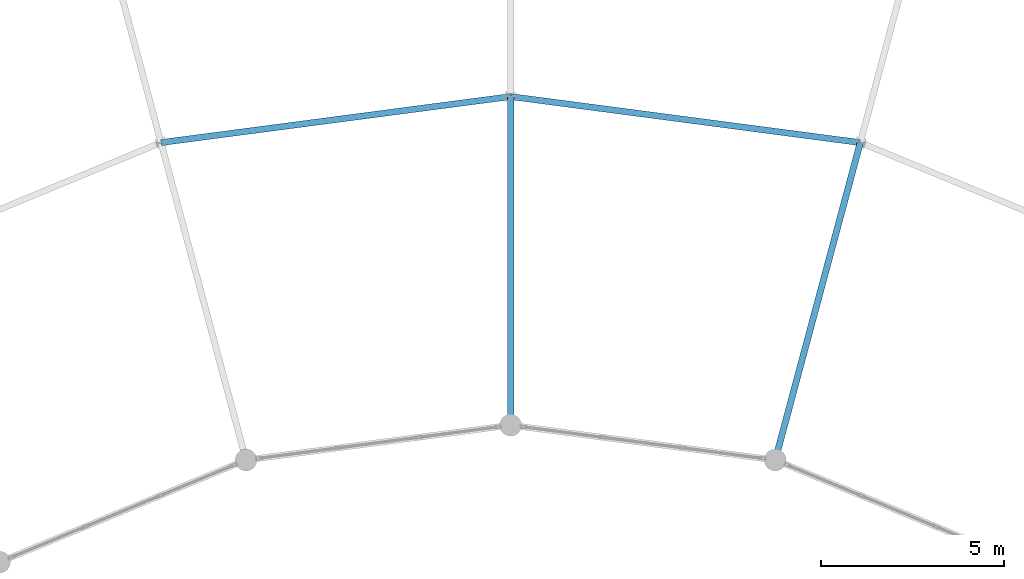
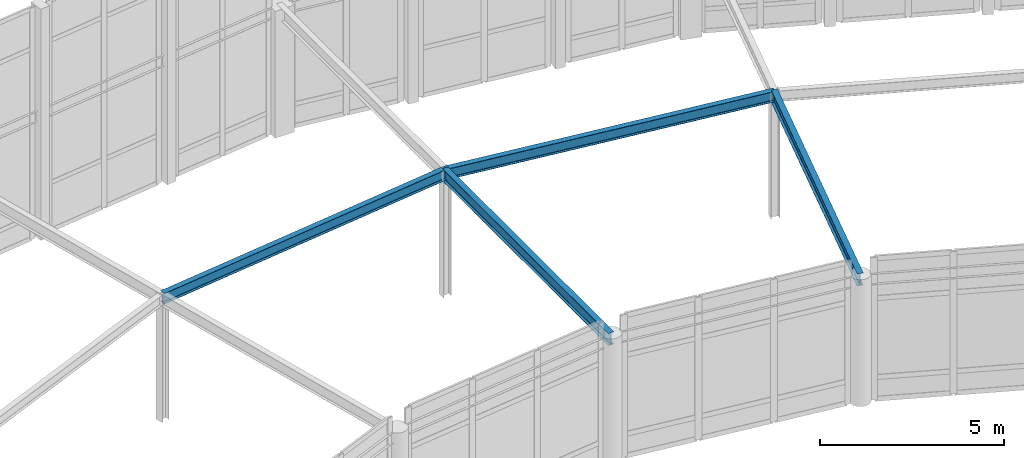
# One storey, part 50 of 93: 4 beams.
"""IFC4 building model written with IfcOpenShell, lengths in metres."""

from ifc_helpers import new_model, si_unit, direction, frame, origin, origin_2d, place, context, subcontext, project, spatial, i_section, extrude, material, material_profile, profile_set, type_object, element, save


model = new_model("IFC4")

# Units and contexts
model_context = context("Model", 3, precision=1e-05, world=origin(), true_north=direction((0.0, 1.0)))
body_context = subcontext(model_context, "Body", "Model", "MODEL_VIEW")
ifc_project = project(units=[si_unit("LENGTHUNIT", "METRE"), si_unit("AREAUNIT", "SQUARE_METRE"), si_unit("VOLUMEUNIT", "CUBIC_METRE"), si_unit("PLANEANGLEUNIT", "RADIAN"), si_unit("MASSUNIT", "GRAM", prefix="KILO")], contexts=[model_context])

# Site, building, storey
site_placement = place(None, origin())
site = spatial("IfcSite", under=ifc_project, at=site_placement, CompositionType="ELEMENT")
building_placement = place(site_placement, origin())
building = spatial("IfcBuilding", under=site, at=building_placement, Name="Vondelvale Polytechnic", CompositionType="ELEMENT")
storey_placement = place(building_placement, frame((0.0, 0.0, 18.0)))
storey = spatial("IfcBuildingStorey", under=building, at=storey_placement, Name="L04", CompositionType="ELEMENT", Elevation=18.0)

# Beams
ifc_material = material(Name="Steel 300PLUS (fy = 300 MPa)", Category="steel")
ifc_material_profile_1 = material_profile(ifc_material, i_section(OverallWidth=0.1708984375, OverallDepth=0.35205078125, WebThickness=0.0068359375, FlangeThickness=0.009765625, FilletRadius=0.011474609375, at=origin_2d()), Name="360UB44.7")
ifc_profile_set_1 = profile_set([ifc_material_profile_1], Name="Steel 300PLUS (fy = 300 MPa)")
beam_type_1 = type_object("IfcBeamType", Name="BM-UB360L", PredefinedType="BEAM", material=ifc_profile_set_1)
for number, where, z_axis, x_axis, name in (
    (1, (111.576416015625, 107.7392578125, 4.02392578125), (-0.991445087779, 0.130524472487, 0.0), (-0.130524472487, -0.991445087779, 0.0), "L04 RE B-24"),
    (2, (102.0, 109.0, 4.02392578125), (-0.991445087779, -0.130524472487, 0.0), (0.130524472487, -0.991445087779, 0.0), "L04 RE B-24"),
):
    element("IfcBeam", number, at=place(storey_placement, frame(where, z_axis=z_axis, x_axis=x_axis)), inside=storey, type_object=beam_type_1, Name=name, PredefinedType="BEAM", context=body_context, shape_type="SweptSolid", body=[
        extrude(i_section(OverallWidth=0.1708984375, OverallDepth=0.35205078125, WebThickness=0.0068359375, FlangeThickness=0.009765625, FilletRadius=0.011474609375, at=origin_2d()), origin(), (0.0, 0.0, 1.0), 9.658935546875),
    ])
ifc_material_profile_2 = material_profile(ifc_material, i_section(OverallWidth=0.177978515625, OverallDepth=0.403076171875, WebThickness=0.007568359375, FlangeThickness=0.010986328125, FilletRadius=0.011474609375, at=origin_2d()), Name="410UB53.7")
ifc_profile_set_2 = profile_set([ifc_material_profile_2], Name="Steel 300PLUS (fy = 300 MPa)")
beam_type_2 = type_object("IfcBeamType", Name="BM-UB410L", PredefinedType="BEAM", material=ifc_profile_set_2)
for number, where, z_axis, x_axis, name in (
    (3, (109.246826171875, 99.0458984375, 3.99853515625), (0.258840941576, 0.965919958881, 0.0), (-0.965919958881, 0.258840941576, 0.0), "L04 REG B-23"),
    (4, (102.0, 100.0, 3.99853515625), (0.0, 1.0, 0.0), (-1.0, 0.0, 0.0), "L04 REG B-23"),
):
    element("IfcBeam", number, at=place(storey_placement, frame(where, z_axis=z_axis, x_axis=x_axis)), inside=storey, type_object=beam_type_2, Name=name, PredefinedType="BEAM", context=body_context, shape_type="SweptSolid", body=[
        extrude(i_section(OverallWidth=0.177978515625, OverallDepth=0.403076171875, WebThickness=0.007568359375, FlangeThickness=0.010986328125, FilletRadius=0.011474609375, at=origin_2d()), origin(), (0.0, 0.0, 1.0), 9.0),
    ])

save(model, "model.ifc")
